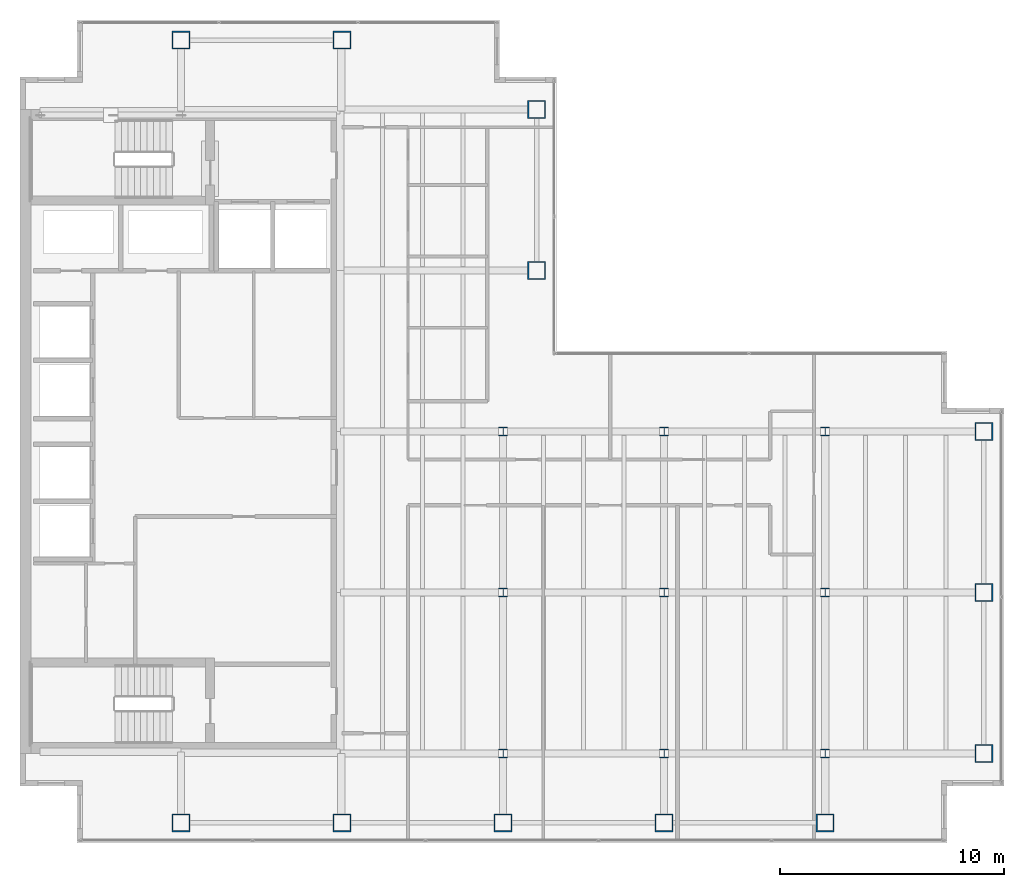
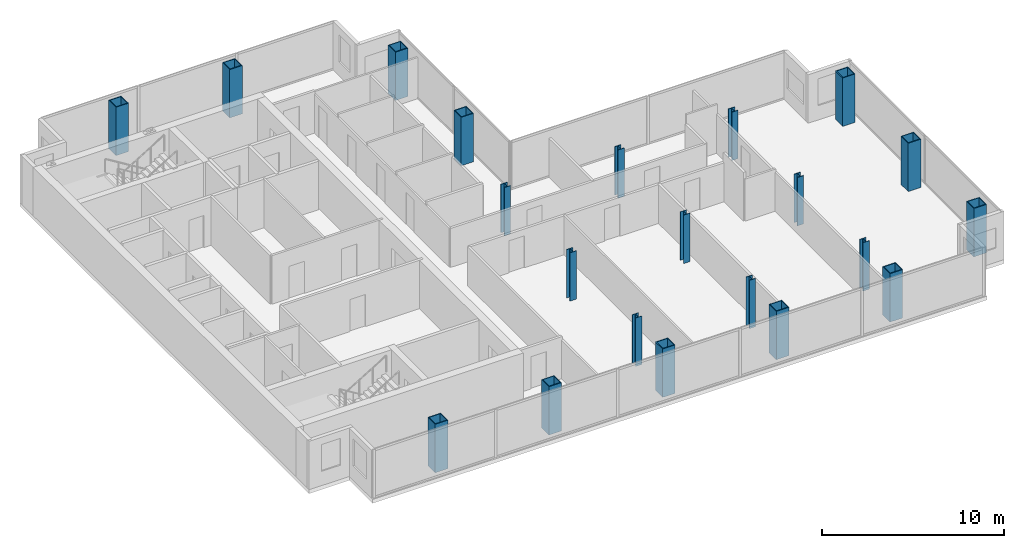
# One storey, part 1 of 23: 21 columns.
"""IFC4 building model written with IfcOpenShell, lengths in metres."""

from ifc_helpers import new_model, si_unit, direction, frame, origin, origin_2d, place, context, subcontext, project, spatial, hollow_rectangle, i_section, extrude, material, material_profile, profile_set, type_object, element, save


model = new_model("IFC4")

# Units and contexts
model_context = context("Model", 3, precision=1e-05, world=origin(), true_north=direction((0.0, 1.0)))
body_context = subcontext(model_context, "Body", "Model", "MODEL_VIEW")
ifc_project = project(units=[si_unit("LENGTHUNIT", "METRE"), si_unit("AREAUNIT", "SQUARE_METRE"), si_unit("VOLUMEUNIT", "CUBIC_METRE"), si_unit("PLANEANGLEUNIT", "RADIAN"), si_unit("MASSUNIT", "GRAM", prefix="KILO")], contexts=[model_context])

# Site, building, storey
site_placement = place(None, origin())
site = spatial("IfcSite", under=ifc_project, at=site_placement, CompositionType="ELEMENT")
building_placement = place(site_placement, origin())
building = spatial("IfcBuilding", under=site, at=building_placement, Name="Cobrela Telecom Tower", CompositionType="ELEMENT")
storey_placement = place(building_placement, frame((0.0, 0.0, 190.75)))
storey = spatial("IfcBuildingStorey", under=building, at=storey_placement, Name="L48", CompositionType="ELEMENT", Elevation=190.75)

# Columns
ifc_material_1 = material(Name="Steel ASTM A992 Grade 50", Category="steel")
ifc_material_profile_1 = material_profile(ifc_material_1, i_section(OverallWidth=0.39892578125, OverallDepth=0.39404296875, WebThickness=0.022705078125, FlangeThickness=0.03662109375, FilletRadius=0.01806640625, at=origin_2d()), Name="W14X193")
ifc_profile_set_1 = profile_set([ifc_material_profile_1], Name="Steel ASTM A992 Grade 50")
column_type_1 = type_object("IfcColumnType", Name="COL-INT-06", PredefinedType="COLUMN", material=ifc_profile_set_1)
for number, where, z_axis, x_axis, name in (
    (1, (21.60009765625, 7.199951171875, 0.0), (0.0, 0.0, 1.0), (1.0, 0.0, 0.0), "L48 Interior Column 06"),
    (2, (21.60009765625, 14.39990234375, 0.0), (0.0, 0.0, 1.0), (1.0, 0.0, 0.0), "L48 Interior Column 07"),
    (3, (21.60009765625, 21.60009765625, 0.0), (0.0, 0.0, 1.0), (1.0, 0.0, 0.0), "L48 Interior Column 08"),
    (4, (28.800048828125, 7.199951171875, 0.0), (0.0, 0.0, 1.0), (1.0, 0.0, 0.0), "L48 Interior Column 12"),
    (5, (28.800048828125, 14.39990234375, 0.0), (0.0, 0.0, 1.0), (1.0, 0.0, 0.0), "L48 Interior Column 13"),
    (6, (28.800048828125, 21.60009765625, 0.0), (0.0, 0.0, 1.0), (1.0, 0.0, 0.0), "L48 Interior Column 14"),
    (7, (36.0, 7.199951171875, 0.0), (0.0, 0.0, 1.0), (1.0, 0.0, 0.0), "L48 Interior Column 16"),
    (8, (36.0, 14.39990234375, 0.0), (0.0, 0.0, 1.0), (1.0, 0.0, 0.0), "L48 Interior Column 17"),
    (9, (36.0, 21.60009765625, 0.0), (0.0, 0.0, 1.0), (1.0, 0.0, 0.0), "L48 Interior Column 18"),
):
    element("IfcColumn", number, at=place(storey_placement, frame(where, z_axis=z_axis, x_axis=x_axis)), inside=storey, type_object=column_type_1, Name=name, PredefinedType="COLUMN", context=body_context, shape_type="SweptSolid", body=[
        extrude(i_section(OverallWidth=0.39892578125, OverallDepth=0.39404296875, WebThickness=0.022705078125, FlangeThickness=0.03662109375, FilletRadius=0.01806640625, at=origin_2d()), origin(), (0.0, 0.0, 1.0), 3.239990234375),
    ])
ifc_material_2 = material(Name="Steel ASTM A572 Grade 50", Category="steel")
ifc_material_profile_2 = material_profile(ifc_material_2, hollow_rectangle(XDim=0.800048828125, YDim=0.800048828125, WallThickness=0.050048828125, at=origin_2d()), Name="BOX 800x800x50")
ifc_profile_set_2 = profile_set([ifc_material_profile_2], Name="Steel ASTM A572 Grade 50")
column_type_2 = type_object("IfcColumnType", Name="COL-MEGA-07", PredefinedType="COLUMN", material=ifc_profile_set_2)
for number, where, z_axis, x_axis, name in (
    (10, (7.199951171875, 4.10009765625, 0.0), (0.0, 0.0, 1.0), (1.0, 0.0, 0.0), "L48 Perimeter Mega-Column 01"),
    (11, (7.199951171875, 39.10009765625, 0.0), (0.0, 0.0, 1.0), (1.0, 0.0, 0.0), "L48 Perimeter Mega-Column 02"),
    (12, (14.39990234375, 4.10009765625, 0.0), (0.0, 0.0, 1.0), (1.0, 0.0, 0.0), "L48 Perimeter Mega-Column 03"),
    (13, (14.39990234375, 39.10009765625, 0.0), (0.0, 0.0, 1.0), (1.0, 0.0, 0.0), "L48 Perimeter Mega-Column 04"),
    (14, (21.60009765625, 4.10009765625, 0.0), (0.0, 0.0, 1.0), (1.0, 0.0, 0.0), "L48 Perimeter Mega-Column 05"),
    (15, (23.10009765625, 28.800048828125, 0.0), (0.0, 0.0, 1.0), (1.0, 0.0, 0.0), "L48 Perimeter Mega-Column 09"),
    (16, (23.10009765625, 36.0, 0.0), (0.0, 0.0, 1.0), (1.0, 0.0, 0.0), "L48 Perimeter Mega-Column 10"),
    (17, (28.800048828125, 4.10009765625, 0.0), (0.0, 0.0, 1.0), (1.0, 0.0, 0.0), "L48 Perimeter Mega-Column 11"),
    (18, (36.0, 4.10009765625, 0.0), (0.0, 0.0, 1.0), (1.0, 0.0, 0.0), "L48 Perimeter Mega-Column 15"),
    (19, (43.10009765625, 7.199951171875, 0.0), (0.0, 0.0, 1.0), (1.0, 0.0, 0.0), "L48 Perimeter Mega-Column 19"),
    (20, (43.10009765625, 14.39990234375, 0.0), (0.0, 0.0, 1.0), (1.0, 0.0, 0.0), "L48 Perimeter Mega-Column 20"),
    (21, (43.10009765625, 21.60009765625, 0.0), (0.0, 0.0, 1.0), (1.0, 0.0, 0.0), "L48 Perimeter Mega-Column 21"),
):
    element("IfcColumn", number, at=place(storey_placement, frame(where, z_axis=z_axis, x_axis=x_axis)), inside=storey, type_object=column_type_2, Name=name, PredefinedType="COLUMN", context=body_context, shape_type="SweptSolid", body=[
        extrude(hollow_rectangle(XDim=0.800048828125, YDim=0.800048828125, WallThickness=0.050048828125, at=origin_2d()), origin(), (0.0, 0.0, 1.0), 3.239990234375),
    ])

save(model, "model.ifc")
